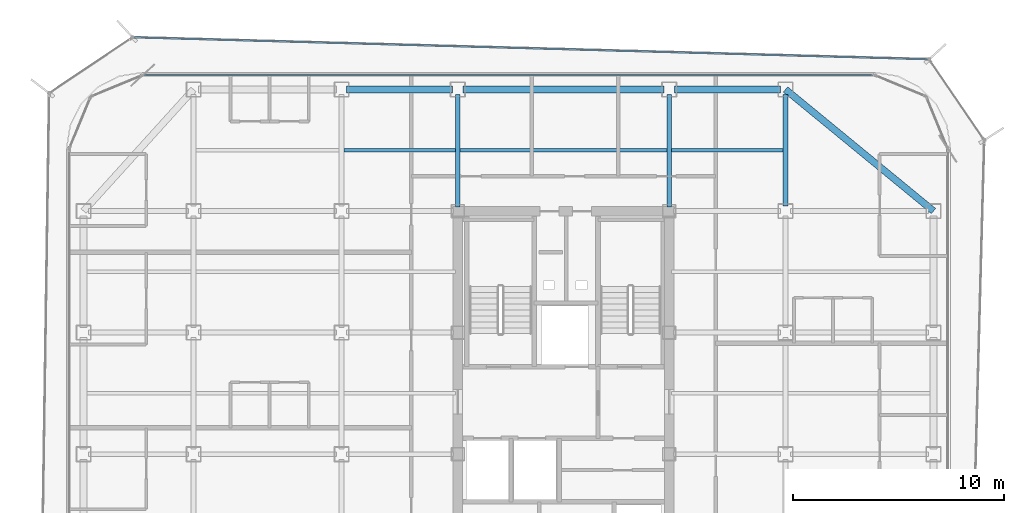
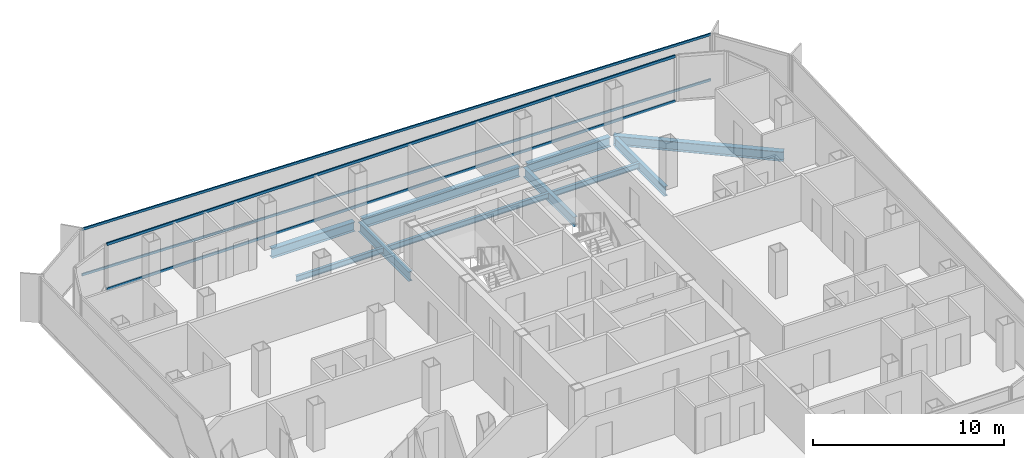
# One storey, part 7 of 16: 10 beams, 4 members, 2 elements without a shape of their own.
"""IFC4 building model written with IfcOpenShell, lengths in metres."""

from ifc_helpers import new_model, si_unit, direction, frame, origin, origin_2d, place, context, subcontext, project, spatial, hollow_rectangle, i_section, extrude, source, transform, mapped, material, layer, layer_set, material_profile, profile_set, type_object, element, aggregate, save


model = new_model("IFC4")

# Units and contexts
model_context = context("Model", 3, precision=1e-05, world=origin(), true_north=direction((0.0, 1.0)))
body_context = subcontext(model_context, "Body", "Model", "MODEL_VIEW")
ifc_project = project(units=[si_unit("LENGTHUNIT", "METRE"), si_unit("AREAUNIT", "SQUARE_METRE"), si_unit("VOLUMEUNIT", "CUBIC_METRE"), si_unit("PLANEANGLEUNIT", "RADIAN"), si_unit("MASSUNIT", "GRAM", prefix="KILO")], contexts=[model_context])

# Site, building, storey
site_placement = place(None, origin())
site = spatial("IfcSite", under=ifc_project, at=site_placement, CompositionType="ELEMENT")
building_placement = place(site_placement, origin())
building = spatial("IfcBuilding", under=site, at=building_placement, Name="Kolveth Station Tower", CompositionType="ELEMENT")
storey_placement = place(building_placement, frame((0.0, 0.0, 159.300048828125)))
storey = spatial("IfcBuildingStorey", under=building, at=storey_placement, Name="L44", CompositionType="ELEMENT", Elevation=159.300048828125)

# Beams
ifc_material_1 = material(Name="Steel S355", Category="steel")
ifc_material_profile_1 = material_profile(ifc_material_1, i_section(OverallWidth=0.323974609375, OverallDepth=0.611083984375, WebThickness=0.0126953125, FlangeThickness=0.01904296875, at=origin_2d()), Name="W610x155")
ifc_profile_set_1 = profile_set([ifc_material_profile_1], Name="Steel S355")
beam_type_1 = type_object("IfcBeamType", Name="Beam_SP2", PredefinedType="SPANDREL", material=ifc_profile_set_1)
shared_shape_1 = source(origin(), body_context, "Body", "SweptSolid", [
    extrude(i_section(OverallWidth=0.323974609375, OverallDepth=0.611083984375, WebThickness=0.0126953125, FlangeThickness=0.01904296875, at=origin_2d()), origin(), (0.0, 0.0, 1.0), 5.02001953125),
])
for number, where, z_axis, x_axis, name in (
    (1, (13.239990234375, 34.5, -0.5556640625), (1.0, 0.0, 0.0), (0.0, 1.0, 0.0), "L44 Perimeter Spandrel BM-L44-PN-2"),
    (2, (28.739990234375, 34.5, -0.5556640625), (1.0, 0.0, 0.0), (0.0, 1.0, 0.0), "L44 Perimeter Spandrel BM-L44-PN-4"),
):
    element("IfcBeam", number, at=place(storey_placement, frame(where, z_axis=z_axis, x_axis=x_axis)), inside=storey, type_object=beam_type_1, Name=name, PredefinedType="SPANDREL", context=body_context, shape_type="MappedRepresentation", body=[
        mapped(shared_shape_1, transform((0.0, 0.0, 0.0), x_axis=(1.0, 0.0, 0.0), y_axis=(0.0, 1.0, 0.0), z_axis=(0.0, 0.0, 1.0), scale=1.0)),
    ])
shared_shape_2 = source(origin(), body_context, "Body", "SweptSolid", [
    extrude(i_section(OverallWidth=0.323974609375, OverallDepth=0.611083984375, WebThickness=0.0126953125, FlangeThickness=0.01904296875, at=origin_2d()), origin(), (0.0, 0.0, 1.0), 9.52001953125),
])
beam_1_placement = place(storey_placement, frame((18.739990234375, 34.5, -0.5556640625), z_axis=(1.0, 0.0, 0.0), x_axis=(0.0, 1.0, 0.0)))
element("IfcBeam", 3, at=beam_1_placement, inside=storey, type_object=beam_type_1, Name="L44 Perimeter Spandrel BM-L44-PN-3", PredefinedType="SPANDREL", context=body_context, shape_type="MappedRepresentation", body=[
    mapped(shared_shape_2, transform((0.0, 0.0, 0.0), x_axis=(1.0, 0.0, 0.0), y_axis=(0.0, 1.0, 0.0), z_axis=(0.0, 0.0, 1.0), scale=1.0)),
])
shared_shape_3 = source(origin(), body_context, "Body", "SweptSolid", [
    extrude(i_section(OverallWidth=0.323974609375, OverallDepth=0.611083984375, WebThickness=0.0126953125, FlangeThickness=0.01904296875, at=origin_2d()), origin(), (0.0, 0.0, 1.0), 9.058837890625),
])
beam_2_placement = place(storey_placement, frame((41.0, 28.75, -0.5556640625), z_axis=(-0.772726254525, 0.63473942336, 0.0), x_axis=(-0.63473942336, -0.772726254525, 0.0)))
element("IfcBeam", 4, at=beam_2_placement, inside=storey, type_object=beam_type_1, Name="L44 Corner Edge Girder BM-L44-CNR-NE", PredefinedType="SPANDREL", context=body_context, shape_type="MappedRepresentation", body=[
    mapped(shared_shape_3, transform((0.0, 0.0, 0.0), x_axis=(1.0, 0.0, 0.0), y_axis=(0.0, 1.0, 0.0), z_axis=(0.0, 0.0, 1.0), scale=1.0)),
])
ifc_material_profile_2 = material_profile(ifc_material_1, i_section(OverallWidth=0.22900390625, OverallDepth=0.612060546875, WebThickness=0.011962890625, FlangeThickness=0.01953125, at=origin_2d()), Name="W610x125")
ifc_profile_set_2 = profile_set([ifc_material_profile_2], Name="Steel S355")
beam_type_2 = type_object("IfcBeamType", Name="Beam_B5", PredefinedType="BEAM", material=ifc_profile_set_2)
shared_shape_4 = source(origin(), body_context, "Body", "SweptSolid", [
    extrude(i_section(OverallWidth=0.22900390625, OverallDepth=0.612060546875, WebThickness=0.011962890625, FlangeThickness=0.01953125, at=origin_2d()), origin(), (0.0, 0.0, 1.0), 5.27001953125),
])
beam_3_placement = place(storey_placement, frame((34.0, 28.989990234375, -0.55615234375), z_axis=(0.0, 1.0, 0.0), x_axis=(-1.0, 0.0, 0.0)))
element("IfcBeam", 5, at=beam_3_placement, inside=storey, type_object=beam_type_2, Name="L44 Primary Girder BM-L44-GX340-6", PredefinedType="BEAM", context=body_context, shape_type="MappedRepresentation", body=[
    mapped(shared_shape_4, transform((0.0, 0.0, 0.0), x_axis=(1.0, 0.0, 0.0), y_axis=(0.0, 1.0, 0.0), z_axis=(0.0, 0.0, 1.0), scale=1.0)),
])
shared_shape_5 = source(origin(), body_context, "Body", "SweptSolid", [
    extrude(i_section(OverallWidth=0.22900390625, OverallDepth=0.612060546875, WebThickness=0.011962890625, FlangeThickness=0.01953125, at=origin_2d()), origin(), (0.0, 0.0, 1.0), 5.31005859375),
])
for number, where, z_axis, x_axis, name in (
    (6, (18.5, 28.949951171875, -0.55615234375), (0.0, 1.0, 0.0), (-1.0, 0.0, 0.0), "L44 Primary Girder BM-L44-GX185-6"),
    (7, (28.5, 28.949951171875, -0.55615234375), (0.0, 1.0, 0.0), (-1.0, 0.0, 0.0), "L44 Primary Girder BM-L44-GX285-6"),
):
    element("IfcBeam", number, at=place(storey_placement, frame(where, z_axis=z_axis, x_axis=x_axis)), inside=storey, type_object=beam_type_2, Name=name, PredefinedType="BEAM", context=body_context, shape_type="MappedRepresentation", body=[
        mapped(shared_shape_5, transform((0.0, 0.0, 0.0), x_axis=(1.0, 0.0, 0.0), y_axis=(0.0, 1.0, 0.0), z_axis=(0.0, 0.0, 1.0), scale=1.0)),
    ])
ifc_material_profile_3 = material_profile(ifc_material_1, i_section(OverallWidth=0.1708984375, OverallDepth=0.35205078125, WebThickness=0.0068359375, FlangeThickness=0.009765625, at=origin_2d()), Name="W360x44")
ifc_profile_set_3 = profile_set([ifc_material_profile_3], Name="Steel S355")
beam_type_3 = type_object("IfcBeamType", Name="Beam_J2", PredefinedType="JOIST", material=ifc_profile_set_3)
shared_shape_6 = source(origin(), body_context, "Body", "SweptSolid", [
    extrude(i_section(OverallWidth=0.1708984375, OverallDepth=0.35205078125, WebThickness=0.0068359375, FlangeThickness=0.009765625, at=origin_2d()), origin(), (0.0, 0.0, 1.0), 5.27490234375),
])
for number, where, z_axis, x_axis, name in (
    (8, (13.112548828125, 31.625, -0.426025390625), (1.0, 0.0, 0.0), (0.0, 1.0, 0.0), "L44 Secondary Joist JST-L44-3-6"),
    (9, (28.612548828125, 31.625, -0.426025390625), (1.0, 0.0, 0.0), (0.0, 1.0, 0.0), "L44 Secondary Joist JST-L44-5-6"),
):
    element("IfcBeam", number, at=place(storey_placement, frame(where, z_axis=z_axis, x_axis=x_axis)), inside=storey, type_object=beam_type_3, Name=name, PredefinedType="JOIST", context=body_context, shape_type="MappedRepresentation", body=[
        mapped(shared_shape_6, transform((0.0, 0.0, 0.0), x_axis=(1.0, 0.0, 0.0), y_axis=(0.0, 1.0, 0.0), z_axis=(0.0, 0.0, 1.0), scale=1.0)),
    ])
shared_shape_7 = source(origin(), body_context, "Body", "SweptSolid", [
    extrude(i_section(OverallWidth=0.1708984375, OverallDepth=0.35205078125, WebThickness=0.0068359375, FlangeThickness=0.009765625, at=origin_2d()), origin(), (0.0, 0.0, 1.0), 9.77490234375),
])
beam_4_placement = place(storey_placement, frame((18.612548828125, 31.625, -0.426025390625), z_axis=(1.0, 0.0, 0.0), x_axis=(0.0, 1.0, 0.0)))
element("IfcBeam", 10, at=beam_4_placement, inside=storey, type_object=beam_type_3, Name="L44 Secondary Joist JST-L44-4-6", PredefinedType="JOIST", context=body_context, shape_type="MappedRepresentation", body=[
    mapped(shared_shape_7, transform((0.0, 0.0, 0.0), x_axis=(1.0, 0.0, 0.0), y_axis=(0.0, 1.0, 0.0), z_axis=(0.0, 0.0, 1.0), scale=1.0)),
])

# Curtain wall, members
ifc_material_2 = material(Name="Aluminium 6063-T6 and low-E dark glass", Category="aluminium")
ifc_layer_1 = layer(ifc_material_2, 0.18994140625)
ifc_layer_set_1 = layer_set([ifc_layer_1], Name="Aluminium 6063-T6 and low-E dark glass")
curtain_wall_type_1 = type_object("IfcCurtainWallType", Name="CurtainWall_CW-Z2", PredefinedType="NOTDEFINED", material=ifc_layer_set_1)
curtain_wall_1_placement = place(storey_placement, origin())
curtain_wall_1 = element("IfcCurtainWall", 11, at=curtain_wall_1_placement, inside=storey, type_object=curtain_wall_type_1, Name="L44 Inner Thermal Curtain Wall 6", PredefinedType="NOTDEFINED")
ifc_material_3 = material(Name="Black anodized aluminium 6063-T6", Category="aluminium")
ifc_material_profile_4 = material_profile(ifc_material_3, hollow_rectangle(XDim=0.080078125, YDim=0.169921875, WallThickness=0.0048828125, at=origin_2d()), Name="ALU-80x170x5")
ifc_profile_set_4 = profile_set([ifc_material_profile_4], Name="Black anodized aluminium 6063-T6")
member_type_1 = type_object("IfcMemberType", Name="Transom_TR2", PredefinedType="USERDEFINED", material=ifc_profile_set_4)
shared_shape_8 = source(origin(), body_context, "Body", "SweptSolid", [
    extrude(hollow_rectangle(XDim=0.080078125, YDim=0.169921875, WallThickness=0.0048828125, at=origin_2d()), origin(), (0.0, 0.0, 1.0), 34.440185546875),
])
member_1_placement = place(storey_placement, frame((38.1201171875, 35.179931640625, 0.0400390625), z_axis=(-1.0, 0.0, 0.0), x_axis=(0.0, -1.0, 0.0)))
member_1 = element("IfcMember", 12, at=member_1_placement, type_object=member_type_1, Name="CW-Z2 transom 1.1", ObjectType="TRANSOM", PredefinedType="USERDEFINED", context=body_context, shape_type="MappedRepresentation", body=[
    mapped(shared_shape_8, transform((0.0, 0.0, 0.0), x_axis=(1.0, 0.0, 0.0), y_axis=(0.0, 1.0, 0.0), z_axis=(0.0, 0.0, 1.0), scale=1.0)),
])
member_2_placement = place(storey_placement, frame((38.1201171875, 35.179931640625, 2.909912109375), z_axis=(-1.0, 0.0, 0.0), x_axis=(0.0, -1.0, 0.0)))
member_2 = element("IfcMember", 13, at=member_2_placement, type_object=member_type_1, Name="CW-Z2 transom 1.2", ObjectType="TRANSOM", PredefinedType="USERDEFINED", context=body_context, shape_type="MappedRepresentation", body=[
    mapped(shared_shape_8, transform((0.0, 0.0, 0.0), x_axis=(1.0, 0.0, 0.0), y_axis=(0.0, 1.0, 0.0), z_axis=(0.0, 0.0, 1.0), scale=1.0)),
])
aggregate(curtain_wall_1, [member_1, member_2])

ifc_material_4 = material(Name="Black anodized aluminium 6063-T6 and dark solar glass", Category="aluminium")
ifc_layer_2 = layer(ifc_material_4, 0.159912109375)
ifc_layer_set_2 = layer_set([ifc_layer_2], Name="Black anodized aluminium 6063-T6 and dark solar glass")
curtain_wall_type_2 = type_object("IfcCurtainWallType", Name="OUTER SKIN CW-OS", PredefinedType="NOTDEFINED", material=ifc_layer_set_2)
curtain_wall_2_placement = place(storey_placement, origin())
curtain_wall_2 = element("IfcCurtainWall", 14, at=curtain_wall_2_placement, inside=storey, type_object=curtain_wall_type_2, Name="L44 Outer Ventilated Skin Curtain Wall 4", PredefinedType="NOTDEFINED")
ifc_material_profile_5 = material_profile(ifc_material_3, hollow_rectangle(XDim=0.080078125, YDim=0.14990234375, WallThickness=0.0048828125, at=origin_2d()), Name="ALU-80x150x5")
ifc_profile_set_5 = profile_set([ifc_material_profile_5], Name="Black anodized aluminium 6063-T6")
member_type_2 = type_object("IfcMemberType", Name="Transom_TR-OS", PredefinedType="USERDEFINED", material=ifc_profile_set_5)
shared_shape_9 = source(origin(), body_context, "Body", "SweptSolid", [
    extrude(hollow_rectangle(XDim=0.080078125, YDim=0.14990234375, WallThickness=0.0048828125, at=origin_2d()), origin(), (0.0, 0.0, 1.0), 37.5107421875),
])
member_3_placement = place(storey_placement, frame((40.7060546875, 35.929443359375, 0.0400390625), z_axis=(-0.999619871037, 0.027570154661, 0.0), x_axis=(-0.027570154661, -0.999619871037, 0.0)))
member_3 = element("IfcMember", 15, at=member_3_placement, type_object=member_type_2, Name="CW-OS transom 1.1", ObjectType="TRANSOM", PredefinedType="USERDEFINED", context=body_context, shape_type="MappedRepresentation", body=[
    mapped(shared_shape_9, transform((0.0, 0.0, 0.0), x_axis=(1.0, 0.0, 0.0), y_axis=(0.0, 1.0, 0.0), z_axis=(0.0, 0.0, 1.0), scale=1.0)),
])
member_4_placement = place(storey_placement, frame((40.7060546875, 35.929443359375, 2.949951171875), z_axis=(-0.999619871037, 0.027570154661, 0.0), x_axis=(-0.027570154661, -0.999619871037, 0.0)))
member_4 = element("IfcMember", 16, at=member_4_placement, type_object=member_type_2, Name="CW-OS transom 1.2", ObjectType="TRANSOM", PredefinedType="USERDEFINED", context=body_context, shape_type="MappedRepresentation", body=[
    mapped(shared_shape_9, transform((0.0, 0.0, 0.0), x_axis=(1.0, 0.0, 0.0), y_axis=(0.0, 1.0, 0.0), z_axis=(0.0, 0.0, 1.0), scale=1.0)),
])
aggregate(curtain_wall_2, [member_3, member_4])

save(model, "model.ifc")
